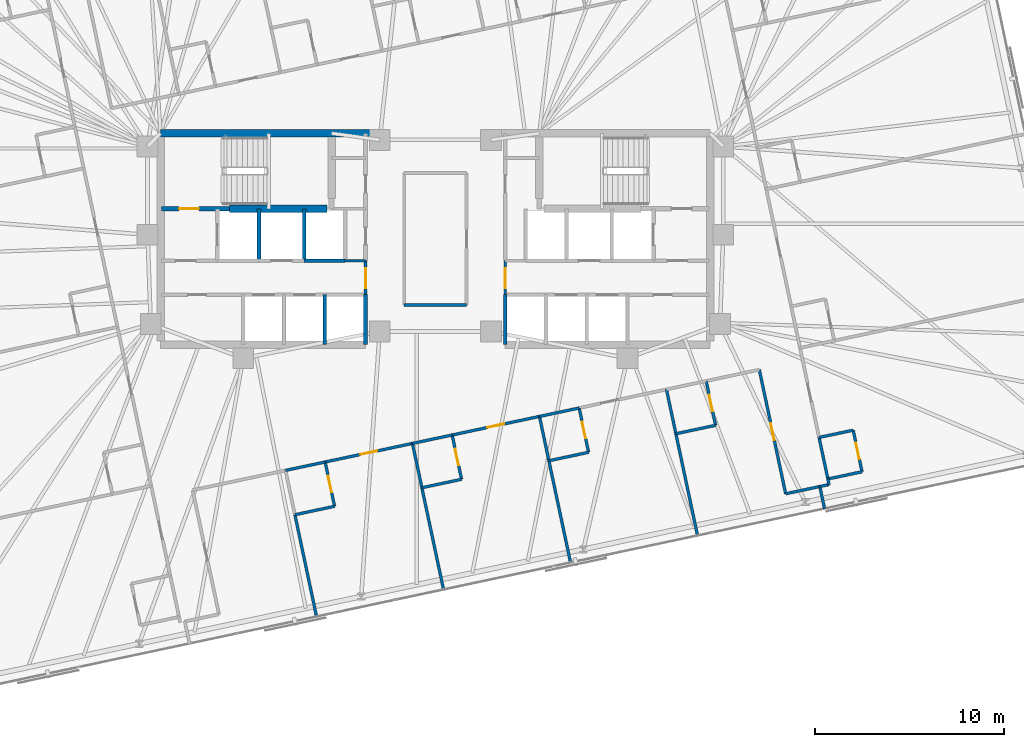
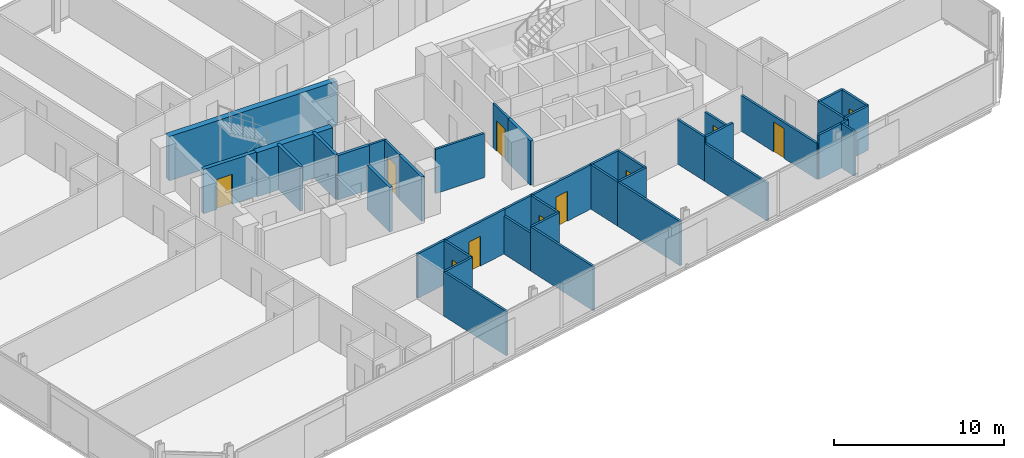
# One storey, part 15 of 20: 42 walls, 11 doors, 11 openings.
"""IFC4 building model written with IfcOpenShell, lengths in metres."""

from ifc_helpers import new_model, si_unit, direction, frame, frame_2d, origin, place, context, subcontext, project, spatial, rectangle, extrude, material, layer, layer_set, type_object, element, fill, save


model = new_model("IFC4")

# Units and contexts
model_context = context("Model", 3, precision=1e-05, world=origin(), true_north=direction((0.0, 1.0)))
body_context = subcontext(model_context, "Body", "Model", "MODEL_VIEW")
ifc_project = project(units=[si_unit("LENGTHUNIT", "METRE"), si_unit("AREAUNIT", "SQUARE_METRE"), si_unit("VOLUMEUNIT", "CUBIC_METRE"), si_unit("PLANEANGLEUNIT", "RADIAN"), si_unit("MASSUNIT", "GRAM", prefix="KILO")], contexts=[model_context])

# Site, building, storey
site_placement = place(None, origin())
site = spatial("IfcSite", under=ifc_project, at=site_placement, CompositionType="ELEMENT")
building_placement = place(site_placement, origin())
building = spatial("IfcBuilding", under=site, at=building_placement, Name="Menara Jurai Vektor", CompositionType="ELEMENT")
storey_placement = place(building_placement, frame((0.0, 0.0, 158.199951171875)))
storey = spatial("IfcBuildingStorey", under=building, at=storey_placement, Name="L40", CompositionType="ELEMENT", Elevation=158.199951171875)

# Wall, opening, door
ifc_material_1 = material(Name="Concrete C40/50", Category="concrete")
ifc_layer_1 = layer(ifc_material_1, 0.25)
ifc_layer_set_1 = layer_set([ifc_layer_1], Name="Concrete C40/50")
wall_type_1 = type_object("IfcWallType", Name="INT-WALL-CORE-250", PredefinedType="STANDARD", material=ifc_layer_set_1)
wall_1_placement = place(storey_placement, frame((-14.5, 1.60009765625, 0.0), z_axis=(0.0, 0.0, 1.0), x_axis=(1.0, 0.0, 0.0)))
wall_1 = element("IfcWall", 1, at=wall_1_placement, inside=storey, type_object=wall_type_1, Name="Interior Wall IW-250 L40", PredefinedType="STANDARD", context=body_context, shape_type="SweptSolid", body=[
    extrude(rectangle(XDim=3.60009765625, YDim=0.25, at=frame_2d((1.800048828125, 0.0))), origin(), (0.0, 0.0, 1.0), 3.175048828125),
])
opening_1_placement = place(wall_1_placement, frame((0.919921875, 0.0, 0.0)))
opening_1 = element("IfcOpeningElement", 2, at=opening_1_placement, cuts=wall_1, Name="Opening D-L40-ST1", PredefinedType="OPENING", context=body_context, shape_type="SweptSolid", body=[
    extrude(rectangle(XDim=1.050048828125, YDim=2.14990234375, at=frame_2d((0.52490234375, 1.074951171875))), frame((0.0, 0.135009765625, 0.0), z_axis=(0.0, -1.0, 0.0), x_axis=(1.0, 0.0, 0.0)), (0.0, 0.0, 1.0), 0.27001953125),
])
ifc_material_2 = material(Name="Fire-Rated Steel Door", Category="steel")
door_type_1 = type_object("IfcDoorType", Name="DR-STAIR-1050", OperationType="NOTDEFINED", PredefinedType="DOOR", material=ifc_material_2)
door_1_placement = place(opening_1_placement, origin())
door_1 = element("IfcDoor", 3, at=door_1_placement, inside=storey, type_object=door_type_1, Name="Exit Stair ST1 Door L40", OperationType="SINGLE_SWING_RIGHT", OverallHeight=2.14990234375, OverallWidth=1.050048828125, PredefinedType="DOOR", context=body_context, shape_type="SweptSolid", body=[
    extrude(rectangle(XDim=1.050048828125, YDim=2.14990234375, at=frame_2d((0.52490234375, 1.074951171875))), frame((0.0, 0.02490234375, 0.0), z_axis=(0.0, -1.0, 0.0), x_axis=(1.0, 0.0, 0.0)), (0.0, 0.0, 1.0), 0.050048828125),
])
fill(opening_1, door_1)

# Wall
wall_2_placement = place(storey_placement, frame((-9.35009765625, -1.14990234375, 0.0), z_axis=(0.0, 0.0, 1.0), x_axis=(0.0, 1.0, 0.0)))
element("IfcWall", 4, at=wall_2_placement, inside=storey, type_object=wall_type_1, Name="Interior Wall IW-250 L40", PredefinedType="STANDARD", context=body_context, shape_type="SweptSolid", body=[
    extrude(rectangle(XDim=2.75, YDim=0.199951171875, at=frame_2d((1.375, 0.0))), origin(), (0.0, 0.0, 1.0), 3.175048828125),
])

# Wall, opening, door
ifc_material_3 = material(Name="Gypsum Fireboard Partition", Category="gypsum")
ifc_layer_2 = layer(ifc_material_3, 0.14990234375)
ifc_layer_set_2 = layer_set([ifc_layer_2], Name="Gypsum Fireboard Partition")
wall_type_2 = type_object("IfcWallType", Name="INT-WALL-CORR-150", PredefinedType="PARTITIONING", material=ifc_layer_set_2)
wall_3_placement = place(storey_placement, frame((-3.699951171875, -2.949951171875, 0.0), z_axis=(0.0, 0.0, 1.0), x_axis=(0.0, 1.0, 0.0)))
wall_3 = element("IfcWall", 5, at=wall_3_placement, inside=storey, type_object=wall_type_2, Name="Interior Wall IW-150 L40", PredefinedType="PARTITIONING", context=body_context, shape_type="SweptSolid", body=[
    extrude(rectangle(XDim=1.800048828125, YDim=0.14990234375, at=frame_2d((0.89990234375, 0.0))), origin(), (0.0, 0.0, 1.0), 3.175048828125),
])
opening_2_placement = place(wall_3_placement, frame((0.35009765625, 0.0, 0.0)))
opening_2 = element("IfcOpeningElement", 6, at=opening_2_placement, cuts=wall_3, Name="Opening D-L40-LLW", PredefinedType="OPENING", context=body_context, shape_type="SweptSolid", body=[
    extrude(rectangle(XDim=1.050048828125, YDim=2.179931640625, at=frame_2d((0.52490234375, 1.08984375))), frame((0.0, 0.0849609375, 0.0), z_axis=(0.0, -1.0, 0.0), x_axis=(1.0, 0.0, 0.0)), (0.0, 0.0, 1.0), 0.169921875),
])
ifc_material_4 = material(Name="Fire-Rated Timber Door", Category="wood")
door_type_2 = type_object("IfcDoorType", Name="DR-LOBBY-1050", OperationType="NOTDEFINED", PredefinedType="DOOR", material=ifc_material_4)
door_2_placement = place(opening_2_placement, origin())
door_2 = element("IfcDoor", 7, at=door_2_placement, inside=storey, type_object=door_type_2, Name="Lift Lobby Corridor Door W L40", OperationType="SINGLE_SWING_LEFT", OverallHeight=2.179931640625, OverallWidth=1.050048828125, PredefinedType="DOOR", context=body_context, shape_type="SweptSolid", body=[
    extrude(rectangle(XDim=1.050048828125, YDim=2.179931640625, at=frame_2d((0.52490234375, 1.08984375))), frame((0.0, 0.02490234375, 0.0), z_axis=(0.0, -1.0, 0.0), x_axis=(1.0, 0.0, 0.0)), (0.0, 0.0, 1.0), 0.050048828125),
])
fill(opening_2, door_2)

# Wall
wall_4_placement = place(storey_placement, frame((-4.7900390625, -1.14990234375, 0.0), z_axis=(0.0, 0.0, 1.0), x_axis=(1.0, 0.0, 0.0)))
element("IfcWall", 8, at=wall_4_placement, inside=storey, type_object=wall_type_2, Name="Interior Wall IW-150 L40", PredefinedType="PARTITIONING", context=body_context, shape_type="SweptSolid", body=[
    extrude(rectangle(XDim=1.090087890625, YDim=0.14990234375, at=frame_2d((0.544921875, 0.0))), origin(), (0.0, 0.0, 1.0), 3.175048828125),
])

# Wall, opening, door
wall_5_placement = place(storey_placement, frame((3.699951171875, -2.949951171875, 0.0), z_axis=(0.0, 0.0, 1.0), x_axis=(0.0, 1.0, 0.0)))
wall_5 = element("IfcWall", 9, at=wall_5_placement, inside=storey, type_object=wall_type_2, Name="Interior Wall IW-150 L40", PredefinedType="PARTITIONING", context=body_context, shape_type="SweptSolid", body=[
    extrude(rectangle(XDim=1.800048828125, YDim=0.14990234375, at=frame_2d((0.89990234375, 0.0))), origin(), (0.0, 0.0, 1.0), 3.175048828125),
])
opening_3_placement = place(wall_5_placement, frame((0.35009765625, 0.0, 0.0)))
opening_3 = element("IfcOpeningElement", 10, at=opening_3_placement, cuts=wall_5, Name="Opening D-L40-LLE", PredefinedType="OPENING", context=body_context, shape_type="SweptSolid", body=[
    extrude(rectangle(XDim=1.050048828125, YDim=2.179931640625, at=frame_2d((0.52490234375, 1.08984375))), frame((0.0, 0.0849609375, 0.0), z_axis=(0.0, -1.0, 0.0), x_axis=(1.0, 0.0, 0.0)), (0.0, 0.0, 1.0), 0.169921875),
])
door_3_placement = place(opening_3_placement, frame((1.050048828125, 0.0, 0.0), z_axis=(0.0, 0.0, 1.0), x_axis=(-1.0, 0.0, 0.0)))
door_3 = element("IfcDoor", 11, at=door_3_placement, inside=storey, type_object=door_type_2, Name="Lift Lobby Corridor Door E L40", OperationType="SINGLE_SWING_RIGHT", OverallHeight=2.179931640625, OverallWidth=1.050048828125, PredefinedType="DOOR", context=body_context, shape_type="SweptSolid", body=[
    extrude(rectangle(XDim=1.050048828125, YDim=2.179931640625, at=frame_2d((0.52490234375, 1.08984375))), frame((0.0, 0.02490234375, 0.0), z_axis=(0.0, -1.0, 0.0), x_axis=(1.0, 0.0, 0.0)), (0.0, 0.0, 1.0), 0.050048828125),
])
fill(opening_3, door_3)

# Wall
wall_6_placement = place(storey_placement, frame((-1.64990234375, -3.489501953125, 0.0), z_axis=(0.0, 0.0, 1.0), x_axis=(0.999999975374, -0.000221926315, 0.0)))
element("IfcWall", 12, at=wall_6_placement, inside=storey, type_object=wall_type_2, Name="Interior Wall IW-150 L40", PredefinedType="PARTITIONING", context=body_context, shape_type="SweptSolid", body=[
    extrude(rectangle(XDim=3.30029296875, YDim=0.14990234375, at=frame_2d((1.650146484375, 0.0))), origin(), (0.0, 0.0, 1.0), 3.175048828125),
])

# Wall, opening, door
wall_7_placement = place(storey_placement, frame((-5.839599609375, -11.814453125, 0.0), z_axis=(0.0, 0.0, 1.0), x_axis=(0.978148615161, 0.207906918255, 0.0)))
wall_7 = element("IfcWall", 13, at=wall_7_placement, inside=storey, type_object=wall_type_2, Name="Interior Wall IW-150 L40", PredefinedType="PARTITIONING", context=body_context, shape_type="SweptSolid", body=[
    extrude(rectangle(XDim=4.728759765625, YDim=0.14990234375, at=frame_2d((2.3642578125, 0.0))), origin(), (0.0, 0.0, 1.0), 3.175048828125),
])
opening_4_placement = place(wall_7_placement, frame((1.904541015625, 0.0, 0.0)))
opening_4 = element("IfcOpeningElement", 14, at=opening_4_placement, cuts=wall_7, Name="Opening D40-19", PredefinedType="OPENING", context=body_context, shape_type="SweptSolid", body=[
    extrude(rectangle(XDim=0.919921875, YDim=2.14990234375, at=frame_2d((0.4599609375, 1.074951171875))), frame((0.0, 0.0849609375, 0.0), z_axis=(0.0, -1.0, 0.0), x_axis=(1.0, 0.0, 0.0)), (0.0, 0.0, 1.0), 0.169921875),
])
ifc_material_5 = material(Name="Solid Core Timber Fire Door", Category="wood")
door_type_3 = type_object("IfcDoorType", Name="DR-ENTRY-950", OperationType="NOTDEFINED", PredefinedType="DOOR", material=ifc_material_5)
door_4_placement = place(opening_4_placement, origin())
door_4 = element("IfcDoor", 15, at=door_4_placement, inside=storey, type_object=door_type_3, Name="Interior Door D40-19", OperationType="SINGLE_SWING_RIGHT", OverallHeight=2.14990234375, OverallWidth=0.919921875, PredefinedType="DOOR", context=body_context, shape_type="SweptSolid", body=[
    extrude(rectangle(XDim=0.919921875, YDim=2.14990234375, at=frame_2d((0.4599609375, 1.074951171875))), frame((0.0, 0.02490234375, 0.0), z_axis=(0.0, -1.0, 0.0), x_axis=(1.0, 0.0, 0.0)), (0.0, 0.0, 1.0), 0.050048828125),
])
fill(opening_4, door_4)

# Wall
wall_8_placement = place(storey_placement, frame((-7.942626953125, -12.261474609375, 0.0), z_axis=(0.0, 0.0, 1.0), x_axis=(0.978146728319, 0.207915795165, 0.0)))
element("IfcWall", 16, at=wall_8_placement, inside=storey, type_object=wall_type_2, Name="Interior Wall IW-150 L40", PredefinedType="PARTITIONING", context=body_context, shape_type="SweptSolid", body=[
    extrude(rectangle(XDim=2.14990234375, YDim=0.14990234375, at=frame_2d((1.074951171875, 0.0))), origin(), (0.0, 0.0, 1.0), 3.175048828125),
])

# Wall, opening, door
wall_9_placement = place(storey_placement, frame((0.888916015625, -10.38427734375, 0.0), z_axis=(0.0, 0.0, 1.0), x_axis=(0.978150846638, 0.207896419455, 0.0)))
wall_9 = element("IfcWall", 17, at=wall_9_placement, inside=storey, type_object=wall_type_2, Name="Interior Wall IW-150 L40", PredefinedType="PARTITIONING", context=body_context, shape_type="SweptSolid", body=[
    extrude(rectangle(XDim=4.72900390625, YDim=0.14990234375, at=frame_2d((2.364501953125, 0.0))), origin(), (0.0, 0.0, 1.0), 3.175048828125),
])
opening_5_placement = place(wall_9_placement, frame((1.904541015625, 0.0, 0.0)))
opening_5 = element("IfcOpeningElement", 18, at=opening_5_placement, cuts=wall_9, Name="Opening D40-21", PredefinedType="OPENING", context=body_context, shape_type="SweptSolid", body=[
    extrude(rectangle(XDim=0.919921875, YDim=2.14990234375, at=frame_2d((0.4599609375, 1.074951171875))), frame((0.0, 0.0849609375, 0.0), z_axis=(0.0, -1.0, 0.0), x_axis=(1.0, 0.0, 0.0)), (0.0, 0.0, 1.0), 0.169921875),
])
door_5_placement = place(opening_5_placement, origin())
door_5 = element("IfcDoor", 19, at=door_5_placement, inside=storey, type_object=door_type_3, Name="Interior Door D40-21", OperationType="SINGLE_SWING_RIGHT", OverallHeight=2.14990234375, OverallWidth=0.919921875, PredefinedType="DOOR", context=body_context, shape_type="SweptSolid", body=[
    extrude(rectangle(XDim=0.919921875, YDim=2.14990234375, at=frame_2d((0.4599609375, 1.074951171875))), frame((0.0, 0.02490234375, 0.0), z_axis=(0.0, -1.0, 0.0), x_axis=(1.0, 0.0, 0.0)), (0.0, 0.0, 1.0), 0.050048828125),
])
fill(opening_5, door_5)

# Walls
for number, where, z_axis, x_axis, name in (
    (20, (-1.214111328125, -10.831298828125, 0.0), (0.0, 0.0, 1.0), (0.978146728319, 0.207915795165, 0.0), "Interior Wall IW-150 L40"),
    (21, (5.5146484375, -9.401123046875, 0.0), (0.0, 0.0, 1.0), (0.978146728319, 0.207915795165, 0.0), "Interior Wall IW-150 L40"),
):
    element("IfcWall", number, at=place(storey_placement, frame(where, z_axis=z_axis, x_axis=x_axis)), inside=storey, type_object=wall_type_2, Name=name, PredefinedType="PARTITIONING", context=body_context, shape_type="SweptSolid", body=[
        extrude(rectangle(XDim=2.14990234375, YDim=0.14990234375, at=frame_2d((1.074951171875, 0.0))), origin(), (0.0, 0.0, 1.0), 3.175048828125),
    ])
wall_10_placement = place(storey_placement, frame((18.5595703125, -13.498291015625, 0.0), z_axis=(0.0, 0.0, 1.0), x_axis=(0.978160192495, 0.207852442415, 0.0)))
element("IfcWall", 22, at=wall_10_placement, inside=storey, type_object=wall_type_2, Name="Interior Wall IW-150 L40", PredefinedType="PARTITIONING", context=body_context, shape_type="SweptSolid", body=[
    extrude(rectangle(XDim=1.849853515625, YDim=0.14990234375, at=frame_2d((0.9248046875, 0.0))), origin(), (0.0, 0.0, 1.0), 3.175048828125),
])
wall_11_placement = place(storey_placement, frame((20.369140625, -13.11376953125, 0.0), z_axis=(0.0, 0.0, 1.0), x_axis=(0.978143962546, 0.207928806409, 0.0)))
element("IfcWall", 23, at=wall_11_placement, inside=storey, type_object=wall_type_2, Name="Interior Wall IW-150 L40", PredefinedType="PARTITIONING", context=body_context, shape_type="SweptSolid", body=[
    extrude(rectangle(XDim=0.500244140625, YDim=0.14990234375, at=frame_2d((0.25, 0.0))), origin(), (0.0, 0.0, 1.0), 3.175048828125),
])
wall_12_placement = place(storey_placement, frame((20.8583984375, -13.009765625, 0.0), z_axis=(0.0, 0.0, 1.0), x_axis=(-0.208306395052, 0.978063620518, 0.0)))
element("IfcWall", 24, at=wall_12_placement, inside=storey, type_object=wall_type_2, Name="Interior Wall IW-150 L40", PredefinedType="PARTITIONING", context=body_context, shape_type="SweptSolid", body=[
    extrude(rectangle(XDim=0.300048828125, YDim=0.14990234375, at=frame_2d((0.14990234375, 0.0))), origin(), (0.0, 0.0, 1.0), 3.175048828125),
])
wall_13_placement = place(storey_placement, frame((20.7958984375, -12.71630859375, 0.0), z_axis=(0.0, 0.0, 1.0), x_axis=(-0.207891197838, 0.978151956427, 0.0)))
element("IfcWall", 25, at=wall_13_placement, inside=storey, type_object=wall_type_2, Name="Interior Wall IW-150 L40", PredefinedType="PARTITIONING", context=body_context, shape_type="SweptSolid", body=[
    extrude(rectangle(XDim=2.25, YDim=0.14990234375, at=frame_2d((1.125, 0.0))), origin(), (0.0, 0.0, 1.0), 3.175048828125),
])
wall_14_placement = place(storey_placement, frame((-6.2958984375, -20.00830078125, 0.0), z_axis=(0.0, 0.0, 1.0), x_axis=(-0.20792487872, 0.978144797466, 0.0)))
element("IfcWall", 26, at=wall_14_placement, inside=storey, type_object=wall_type_2, Name="Interior Wall IW-150 L40", PredefinedType="PARTITIONING", context=body_context, shape_type="SweptSolid", body=[
    extrude(rectangle(XDim=5.519775390625, YDim=0.14990234375, at=frame_2d((2.759765625, 0.0))), origin(), (0.0, 0.0, 1.0), 3.175048828125),
])
wall_15_placement = place(storey_placement, frame((-7.443603515625, -14.609130859375, 0.0), z_axis=(0.0, 0.0, 1.0), x_axis=(0.978141818715, 0.207938891219, 0.0)))
element("IfcWall", 27, at=wall_15_placement, inside=storey, type_object=wall_type_2, Name="Interior Wall IW-150 L40", PredefinedType="PARTITIONING", context=body_context, shape_type="SweptSolid", body=[
    extrude(rectangle(XDim=2.149658203125, YDim=0.14990234375, at=frame_2d((1.07470703125, 0.0))), origin(), (0.0, 0.0, 1.0), 3.175048828125),
])

# Wall, opening, door
wall_16_placement = place(storey_placement, frame((-5.3408203125, -14.162109375, 0.0), z_axis=(0.0, 0.0, 1.0), x_axis=(-0.207819824493, 0.978167123015, 0.0)))
wall_16 = element("IfcWall", 28, at=wall_16_placement, inside=storey, type_object=wall_type_2, Name="Interior Wall IW-150 L40", PredefinedType="PARTITIONING", context=body_context, shape_type="SweptSolid", body=[
    extrude(rectangle(XDim=2.400146484375, YDim=0.14990234375, at=frame_2d((1.2001953125, 0.0))), origin(), (0.0, 0.0, 1.0), 3.175048828125),
])
opening_6_placement = place(wall_16_placement, frame((0.760009765625, 0.0, 0.0)))
opening_6 = element("IfcOpeningElement", 29, at=opening_6_placement, cuts=wall_16, Name="Opening D40-20", PredefinedType="OPENING", context=body_context, shape_type="SweptSolid", body=[
    extrude(rectangle(XDim=0.8798828125, YDim=2.14990234375, at=frame_2d((0.43994140625, 1.074951171875))), frame((0.0, 0.0849609375, 0.0), z_axis=(0.0, -1.0, 0.0), x_axis=(1.0, 0.0, 0.0)), (0.0, 0.0, 1.0), 0.169921875),
])
ifc_material_6 = material(Name="Moisture-Resistant Timber Door", Category="wood")
door_type_4 = type_object("IfcDoorType", Name="DR-BATH-880", OperationType="NOTDEFINED", PredefinedType="DOOR", material=ifc_material_6)
door_6_placement = place(opening_6_placement, origin())
door_6 = element("IfcDoor", 30, at=door_6_placement, inside=storey, type_object=door_type_4, Name="Interior Door D40-20", OperationType="SINGLE_SWING_LEFT", OverallHeight=2.14990234375, OverallWidth=0.8798828125, PredefinedType="DOOR", context=body_context, shape_type="SweptSolid", body=[
    extrude(rectangle(XDim=0.8798828125, YDim=2.14990234375, at=frame_2d((0.43994140625, 1.074951171875))), frame((0.0, 0.02490234375, 0.0), z_axis=(0.0, -1.0, 0.0), x_axis=(1.0, 0.0, 0.0)), (0.0, 0.0, 1.0), 0.050048828125),
])
fill(opening_6, door_6)

# Walls
wall_17_placement = place(storey_placement, frame((0.4326171875, -18.578125, 0.0), z_axis=(0.0, 0.0, 1.0), x_axis=(-0.20791588359, 0.978146709523, 0.0)))
element("IfcWall", 31, at=wall_17_placement, inside=storey, type_object=wall_type_2, Name="Interior Wall IW-150 L40", PredefinedType="PARTITIONING", context=body_context, shape_type="SweptSolid", body=[
    extrude(rectangle(XDim=5.52001953125, YDim=0.14990234375, at=frame_2d((2.760009765625, 0.0))), origin(), (0.0, 0.0, 1.0), 3.175048828125),
])
wall_18_placement = place(storey_placement, frame((-0.715087890625, -13.1787109375, 0.0), z_axis=(0.0, 0.0, 1.0), x_axis=(0.978146728319, 0.207915795165, 0.0)))
element("IfcWall", 32, at=wall_18_placement, inside=storey, type_object=wall_type_2, Name="Interior Wall IW-150 L40", PredefinedType="PARTITIONING", context=body_context, shape_type="SweptSolid", body=[
    extrude(rectangle(XDim=2.14990234375, YDim=0.14990234375, at=frame_2d((1.074951171875, 0.0))), origin(), (0.0, 0.0, 1.0), 3.175048828125),
])

# Wall, opening, door
wall_19_placement = place(storey_placement, frame((1.387939453125, -12.731689453125, 0.0), z_axis=(0.0, 0.0, 1.0), x_axis=(-0.207937840262, 0.978142042133, 0.0)))
wall_19 = element("IfcWall", 33, at=wall_19_placement, inside=storey, type_object=wall_type_2, Name="Interior Wall IW-150 L40", PredefinedType="PARTITIONING", context=body_context, shape_type="SweptSolid", body=[
    extrude(rectangle(XDim=2.39990234375, YDim=0.14990234375, at=frame_2d((1.199951171875, 0.0))), origin(), (0.0, 0.0, 1.0), 3.175048828125),
])
opening_7_placement = place(wall_19_placement, frame((0.760009765625, 0.0, 0.0)))
opening_7 = element("IfcOpeningElement", 34, at=opening_7_placement, cuts=wall_19, Name="Opening D40-22", PredefinedType="OPENING", context=body_context, shape_type="SweptSolid", body=[
    extrude(rectangle(XDim=0.8798828125, YDim=2.14990234375, at=frame_2d((0.43994140625, 1.074951171875))), frame((0.0, 0.0849609375, 0.0), z_axis=(0.0, -1.0, 0.0), x_axis=(1.0, 0.0, 0.0)), (0.0, 0.0, 1.0), 0.169921875),
])
door_7_placement = place(opening_7_placement, origin())
door_7 = element("IfcDoor", 35, at=door_7_placement, inside=storey, type_object=door_type_4, Name="Interior Door D40-22", OperationType="SINGLE_SWING_LEFT", OverallHeight=2.14990234375, OverallWidth=0.8798828125, PredefinedType="DOOR", context=body_context, shape_type="SweptSolid", body=[
    extrude(rectangle(XDim=0.8798828125, YDim=2.14990234375, at=frame_2d((0.43994140625, 1.074951171875))), frame((0.0, 0.02490234375, 0.0), z_axis=(0.0, -1.0, 0.0), x_axis=(1.0, 0.0, 0.0)), (0.0, 0.0, 1.0), 0.050048828125),
])
fill(opening_7, door_7)

# Walls
wall_20_placement = place(storey_placement, frame((7.161376953125, -17.14794921875, 0.0), z_axis=(0.0, 0.0, 1.0), x_axis=(-0.20791588359, 0.978146709523, 0.0)))
element("IfcWall", 36, at=wall_20_placement, inside=storey, type_object=wall_type_2, Name="Interior Wall IW-150 L40", PredefinedType="PARTITIONING", context=body_context, shape_type="SweptSolid", body=[
    extrude(rectangle(XDim=5.52001953125, YDim=0.14990234375, at=frame_2d((2.760009765625, 0.0))), origin(), (0.0, 0.0, 1.0), 3.175048828125),
])
wall_21_placement = place(storey_placement, frame((6.013671875, -11.74853515625, 0.0), z_axis=(0.0, 0.0, 1.0), x_axis=(-0.207937840262, 0.978142042133, 0.0)))
element("IfcWall", 37, at=wall_21_placement, inside=storey, type_object=wall_type_2, Name="Interior Wall IW-150 L40", PredefinedType="PARTITIONING", context=body_context, shape_type="SweptSolid", body=[
    extrude(rectangle(XDim=2.39990234375, YDim=0.14990234375, at=frame_2d((1.199951171875, 0.0))), origin(), (0.0, 0.0, 1.0), 3.175048828125),
])
wall_22_placement = place(storey_placement, frame((6.013671875, -11.74853515625, 0.0), z_axis=(0.0, 0.0, 1.0), x_axis=(0.978146728319, 0.207915795165, 0.0)))
element("IfcWall", 38, at=wall_22_placement, inside=storey, type_object=wall_type_2, Name="Interior Wall IW-150 L40", PredefinedType="PARTITIONING", context=body_context, shape_type="SweptSolid", body=[
    extrude(rectangle(XDim=2.14990234375, YDim=0.14990234375, at=frame_2d((1.074951171875, 0.0))), origin(), (0.0, 0.0, 1.0), 3.175048828125),
])

# Wall, opening, door
wall_23_placement = place(storey_placement, frame((8.11669921875, -11.301513671875, 0.0), z_axis=(0.0, 0.0, 1.0), x_axis=(-0.207937840262, 0.978142042133, 0.0)))
wall_23 = element("IfcWall", 39, at=wall_23_placement, inside=storey, type_object=wall_type_2, Name="Interior Wall IW-150 L40", PredefinedType="PARTITIONING", context=body_context, shape_type="SweptSolid", body=[
    extrude(rectangle(XDim=2.39990234375, YDim=0.14990234375, at=frame_2d((1.199951171875, 0.0))), origin(), (0.0, 0.0, 1.0), 3.175048828125),
])
opening_8_placement = place(wall_23_placement, frame((0.760009765625, 0.0, 0.0)))
opening_8 = element("IfcOpeningElement", 40, at=opening_8_placement, cuts=wall_23, Name="Opening D40-24", PredefinedType="OPENING", context=body_context, shape_type="SweptSolid", body=[
    extrude(rectangle(XDim=0.8798828125, YDim=2.14990234375, at=frame_2d((0.43994140625, 1.074951171875))), frame((0.0, 0.0849609375, 0.0), z_axis=(0.0, -1.0, 0.0), x_axis=(1.0, 0.0, 0.0)), (0.0, 0.0, 1.0), 0.169921875),
])
door_8_placement = place(opening_8_placement, origin())
door_8 = element("IfcDoor", 41, at=door_8_placement, inside=storey, type_object=door_type_4, Name="Interior Door D40-24", OperationType="SINGLE_SWING_LEFT", OverallHeight=2.14990234375, OverallWidth=0.8798828125, PredefinedType="DOOR", context=body_context, shape_type="SweptSolid", body=[
    extrude(rectangle(XDim=0.8798828125, YDim=2.14990234375, at=frame_2d((0.43994140625, 1.074951171875))), frame((0.0, 0.02490234375, 0.0), z_axis=(0.0, -1.0, 0.0), x_axis=(1.0, 0.0, 0.0)), (0.0, 0.0, 1.0), 0.050048828125),
])
fill(opening_8, door_8)

# Walls
wall_24_placement = place(storey_placement, frame((12.742431640625, -10.318359375, 0.0), z_axis=(0.0, 0.0, 1.0), x_axis=(-0.207917150959, 0.978146440129, 0.0)))
element("IfcWall", 42, at=wall_24_placement, inside=storey, type_object=wall_type_2, Name="Interior Wall IW-150 L40", PredefinedType="PARTITIONING", context=body_context, shape_type="SweptSolid", body=[
    extrude(rectangle(XDim=2.400146484375, YDim=0.14990234375, at=frame_2d((1.2001953125, 0.0))), origin(), (0.0, 0.0, 1.0), 3.175048828125),
])
wall_25_placement = place(storey_placement, frame((12.742431640625, -10.318359375, 0.0), z_axis=(0.0, 0.0, 1.0), x_axis=(0.978146728319, 0.207915795165, 0.0)))
element("IfcWall", 43, at=wall_25_placement, inside=storey, type_object=wall_type_2, Name="Interior Wall IW-150 L40", PredefinedType="PARTITIONING", context=body_context, shape_type="SweptSolid", body=[
    extrude(rectangle(XDim=2.14990234375, YDim=0.14990234375, at=frame_2d((1.074951171875, 0.0))), origin(), (0.0, 0.0, 1.0), 3.175048828125),
])
wall_26_placement = place(storey_placement, frame((20.61865234375, -14.28759765625, 0.0), z_axis=(0.0, 0.0, 1.0), x_axis=(-0.207917150959, 0.978146440129, 0.0)))
element("IfcWall", 44, at=wall_26_placement, inside=storey, type_object=wall_type_2, Name="Interior Wall IW-150 L40", PredefinedType="PARTITIONING", context=body_context, shape_type="SweptSolid", body=[
    extrude(rectangle(XDim=1.199951171875, YDim=0.14990234375, at=frame_2d((0.60009765625, 0.0))), origin(), (0.0, 0.0, 1.0), 3.175048828125),
])
for number, where, z_axis, x_axis, name in (
    (45, (20.7958984375, -12.71630859375, 0.0), (0.0, 0.0, 1.0), (0.978160192495, 0.207852442415, 0.0), "Interior Wall IW-150 L40"),
    (46, (20.328125, -10.515380859375, 0.0), (0.0, 0.0, 1.0), (0.978160192495, 0.207852442415, 0.0), "Interior Wall IW-150 L40"),
):
    element("IfcWall", number, at=place(storey_placement, frame(where, z_axis=z_axis, x_axis=x_axis)), inside=storey, type_object=wall_type_2, Name=name, PredefinedType="PARTITIONING", context=body_context, shape_type="SweptSolid", body=[
        extrude(rectangle(XDim=1.849853515625, YDim=0.14990234375, at=frame_2d((0.9248046875, 0.0))), origin(), (0.0, 0.0, 1.0), 3.175048828125),
    ])

# Wall, opening, door
wall_27_placement = place(storey_placement, frame((22.60546875, -12.331787109375, 0.0), z_axis=(0.0, 0.0, 1.0), x_axis=(-0.207891197838, 0.978151956427, 0.0)))
wall_27 = element("IfcWall", 47, at=wall_27_placement, inside=storey, type_object=wall_type_2, Name="Interior Wall IW-150 L40", PredefinedType="PARTITIONING", context=body_context, shape_type="SweptSolid", body=[
    extrude(rectangle(XDim=2.25, YDim=0.14990234375, at=frame_2d((1.125, 0.0))), origin(), (0.0, 0.0, 1.0), 3.175048828125),
])
opening_9_placement = place(wall_27_placement, frame((0.68505859375, 0.0, 0.0)))
opening_9 = element("IfcOpeningElement", 48, at=opening_9_placement, cuts=wall_27, Name="Opening D40-38", PredefinedType="OPENING", context=body_context, shape_type="SweptSolid", body=[
    extrude(rectangle(XDim=0.8798828125, YDim=2.14990234375, at=frame_2d((0.43994140625, 1.074951171875))), frame((0.0, 0.0849609375, 0.0), z_axis=(0.0, -1.0, 0.0), x_axis=(1.0, 0.0, 0.0)), (0.0, 0.0, 1.0), 0.169921875),
])
door_9_placement = place(opening_9_placement, origin())
door_9 = element("IfcDoor", 49, at=door_9_placement, inside=storey, type_object=door_type_4, Name="Interior Door D40-38", OperationType="SINGLE_SWING_LEFT", OverallHeight=2.14990234375, OverallWidth=0.8798828125, PredefinedType="DOOR", context=body_context, shape_type="SweptSolid", body=[
    extrude(rectangle(XDim=0.8798828125, YDim=2.14990234375, at=frame_2d((0.43994140625, 1.074951171875))), frame((0.0, 0.02490234375, 0.0), z_axis=(0.0, -1.0, 0.0), x_axis=(1.0, 0.0, 0.0)), (0.0, 0.0, 1.0), 0.050048828125),
])
fill(opening_9, door_9)

# Walls
ifc_layer_3 = layer(ifc_material_3, 0.14990234375)
ifc_layer_set_3 = layer_set([ifc_layer_3], Name="Gypsum Fireboard Partition")
wall_type_3 = type_object("IfcWallType", Name="INT-WALL-CORR-150-H1", PredefinedType="PARTITIONING", material=ifc_layer_set_3)
wall_28_placement = place(storey_placement, frame((-0.715087890625, -13.1787109375, 0.0), z_axis=(0.0, 0.0, 1.0), x_axis=(-0.207937840262, 0.978142042133, 0.0)))
element("IfcWall", 50, at=wall_28_placement, inside=storey, type_object=wall_type_3, Name="Interior Wall IW-150 L40", PredefinedType="PARTITIONING", context=body_context, shape_type="SweptSolid", body=[
    extrude(rectangle(XDim=2.39990234375, YDim=0.14990234375, at=frame_2d((1.199951171875, 0.0))), origin(), (0.0, 0.0, 1.0), 2.72509765625),
])
wall_29_placement = place(storey_placement, frame((13.889892578125, -15.7177734375, 0.0), z_axis=(0.0, 0.0, 1.0), x_axis=(-0.207873566928, 0.97815570344, 0.0)))
element("IfcWall", 51, at=wall_29_placement, inside=storey, type_object=wall_type_3, Name="Interior Wall IW-150 L40", PredefinedType="PARTITIONING", context=body_context, shape_type="SweptSolid", body=[
    extrude(rectangle(XDim=5.52001953125, YDim=0.14990234375, at=frame_2d((2.760009765625, 0.0))), origin(), (0.0, 0.0, 1.0), 2.72509765625),
])

# Wall, opening, door
wall_30_placement = place(storey_placement, frame((14.845458984375, -9.871337890625, 0.0), z_axis=(0.0, 0.0, 1.0), x_axis=(-0.207917150959, 0.978146440129, 0.0)))
wall_30 = element("IfcWall", 52, at=wall_30_placement, inside=storey, type_object=wall_type_3, Name="Interior Wall IW-150 L40", PredefinedType="PARTITIONING", context=body_context, shape_type="SweptSolid", body=[
    extrude(rectangle(XDim=2.400146484375, YDim=0.14990234375, at=frame_2d((1.2001953125, 0.0))), origin(), (0.0, 0.0, 1.0), 2.72509765625),
])
opening_10_placement = place(wall_30_placement, frame((0.760009765625, 0.0, 0.0)))
opening_10 = element("IfcOpeningElement", 53, at=opening_10_placement, cuts=wall_30, Name="Opening D40-26", PredefinedType="OPENING", context=body_context, shape_type="SweptSolid", body=[
    extrude(rectangle(XDim=0.8798828125, YDim=2.14990234375, at=frame_2d((0.43994140625, 1.074951171875))), frame((0.0, 0.0849609375, 0.0), z_axis=(0.0, -1.0, 0.0), x_axis=(1.0, 0.0, 0.0)), (0.0, 0.0, 1.0), 0.169921875),
])
door_10_placement = place(opening_10_placement, origin())
door_10 = element("IfcDoor", 54, at=door_10_placement, inside=storey, type_object=door_type_4, Name="Interior Door D40-26", OperationType="SINGLE_SWING_LEFT", OverallHeight=2.14990234375, OverallWidth=0.8798828125, PredefinedType="DOOR", context=body_context, shape_type="SweptSolid", body=[
    extrude(rectangle(XDim=0.8798828125, YDim=2.14990234375, at=frame_2d((0.43994140625, 1.074951171875))), frame((0.0, 0.02490234375, 0.0), z_axis=(0.0, -1.0, 0.0), x_axis=(1.0, 0.0, 0.0)), (0.0, 0.0, 1.0), 0.050048828125),
])
fill(opening_10, door_10)

ifc_layer_4 = layer(ifc_material_3, 0.14990234375)
ifc_layer_set_4 = layer_set([ifc_layer_4], Name="Gypsum Fireboard Partition")
wall_type_4 = type_object("IfcWallType", Name="INT-WALL-CORR-150-H2", PredefinedType="PARTITIONING", material=ifc_layer_set_4)
wall_31_placement = place(storey_placement, frame((18.5595703125, -13.498291015625, 0.0), z_axis=(0.0, 0.0, 1.0), x_axis=(-0.207888737749, 0.978152479278, 0.0)))
wall_31 = element("IfcWall", 55, at=wall_31_placement, inside=storey, type_object=wall_type_4, Name="Interior Wall IW-150 L40", PredefinedType="PARTITIONING", context=body_context, shape_type="SweptSolid", body=[
    extrude(rectangle(XDim=6.7197265625, YDim=0.14990234375, at=frame_2d((3.35986328125, 0.0))), origin(), (0.0, 0.0, 1.0), 2.574951171875),
])
opening_11_placement = place(wall_31_placement, frame((2.89990234375, 0.0, 0.0)))
opening_11 = element("IfcOpeningElement", 56, at=opening_11_placement, cuts=wall_31, Name="Opening D40-25", PredefinedType="OPENING", context=body_context, shape_type="SweptSolid", body=[
    extrude(rectangle(XDim=0.919921875, YDim=2.14990234375, at=frame_2d((0.4599609375, 1.074951171875))), frame((0.0, 0.0849609375, 0.0), z_axis=(0.0, -1.0, 0.0), x_axis=(1.0, 0.0, 0.0)), (0.0, 0.0, 1.0), 0.169921875),
])
door_11_placement = place(opening_11_placement, origin())
door_11 = element("IfcDoor", 57, at=door_11_placement, inside=storey, type_object=door_type_3, Name="Interior Door D40-25", OperationType="SINGLE_SWING_RIGHT", OverallHeight=2.14990234375, OverallWidth=0.919921875, PredefinedType="DOOR", context=body_context, shape_type="SweptSolid", body=[
    extrude(rectangle(XDim=0.919921875, YDim=2.14990234375, at=frame_2d((0.4599609375, 1.074951171875))), frame((0.0, 0.02490234375, 0.0), z_axis=(0.0, -1.0, 0.0), x_axis=(1.0, 0.0, 0.0)), (0.0, 0.0, 1.0), 0.050048828125),
])
fill(opening_11, door_11)

# Walls
ifc_layer_5 = layer(ifc_material_1, 0.199951171875)
ifc_layer_set_5 = layer_set([ifc_layer_5], Name="Concrete C40/50")
wall_type_5 = type_object("IfcWallType", Name="INT-WALL-SHAFT-200", PredefinedType="STANDARD", material=ifc_layer_set_5)
wall_32_placement = place(storey_placement, frame((-3.699951171875, -5.60009765625, 0.0), z_axis=(0.0, 0.0, 1.0), x_axis=(0.0, 1.0, 0.0)))
element("IfcWall", 58, at=wall_32_placement, inside=storey, type_object=wall_type_5, Name="Interior Wall IW-200 L40", PredefinedType="STANDARD", context=body_context, shape_type="SweptSolid", body=[
    extrude(rectangle(XDim=2.650146484375, YDim=0.199951171875, at=frame_2d((1.3251953125, 0.0))), origin(), (0.0, 0.0, 1.0), 3.175048828125),
])
wall_33_placement = place(storey_placement, frame((-6.949951171875, -1.14990234375, 0.0), z_axis=(0.0, 0.0, 1.0), x_axis=(0.0, 1.0, 0.0)))
element("IfcWall", 59, at=wall_33_placement, inside=storey, type_object=wall_type_5, Name="Interior Wall IW-200 L40", PredefinedType="STANDARD", context=body_context, shape_type="SweptSolid", body=[
    extrude(rectangle(XDim=2.75, YDim=0.199951171875, at=frame_2d((1.375, 0.0))), origin(), (0.0, 0.0, 1.0), 3.175048828125),
])
wall_34_placement = place(storey_placement, frame((-6.949951171875, -1.14990234375, 0.0), z_axis=(0.0, 0.0, 1.0), x_axis=(1.0, 0.0, 0.0)))
element("IfcWall", 60, at=wall_34_placement, inside=storey, type_object=wall_type_5, Name="Interior Wall IW-200 L40", PredefinedType="STANDARD", context=body_context, shape_type="SweptSolid", body=[
    extrude(rectangle(XDim=2.159912109375, YDim=0.199951171875, at=frame_2d((1.080078125, 0.0))), origin(), (0.0, 0.0, 1.0), 3.175048828125),
])
for number, where, z_axis, x_axis, name in (
    (61, (-5.860107421875, -5.60009765625, 0.0), (0.0, 0.0, 1.0), (0.0, 1.0, 0.0), "Interior Wall IW-200 L40"),
    (62, (3.699951171875, -5.60009765625, 0.0), (0.0, 0.0, 1.0), (0.0, 1.0, 0.0), "Interior Wall IW-200 L40"),
):
    element("IfcWall", number, at=place(storey_placement, frame(where, z_axis=z_axis, x_axis=x_axis)), inside=storey, type_object=wall_type_5, Name=name, PredefinedType="STANDARD", context=body_context, shape_type="SweptSolid", body=[
        extrude(rectangle(XDim=2.650146484375, YDim=0.199951171875, at=frame_2d((1.3251953125, 0.0))), origin(), (0.0, 0.0, 1.0), 3.175048828125),
    ])
ifc_material_7 = material(Name="Concrete C50/60", Category="concrete")
ifc_layer_6 = layer(ifc_material_7, 0.39990234375)
ifc_layer_set_6 = layer_set([ifc_layer_6], Name="Concrete C50/60")
wall_type_6 = type_object("IfcWallType", Name="STR-WALL-CORE400", PredefinedType="SHEAR", material=ifc_layer_set_6)
wall_35_placement = place(storey_placement, frame((-14.56005859375, 5.60009765625, 0.0), z_axis=(0.0, 0.0, 1.0), x_axis=(1.0, 0.0, 0.0)))
element("IfcWall", 63, at=wall_35_placement, inside=storey, type_object=wall_type_6, Name="Core Shear Wall CW-W-N L40", PredefinedType="SHEAR", context=body_context, shape_type="SweptSolid", body=[
    extrude(rectangle(XDim=11.41015625, YDim=0.39990234375, at=frame_2d((5.705078125, 0.0))), origin(), (0.0, 0.0, 1.0), 3.175048828125),
])
wall_36_placement = place(storey_placement, frame((-10.89990234375, 1.60009765625, 0.0), z_axis=(0.0, 0.0, 1.0), x_axis=(1.0, 0.0, 0.0)))
element("IfcWall", 64, at=wall_36_placement, inside=storey, type_object=wall_type_6, Name="Core Shear Wall CW-W-STS L40", PredefinedType="SHEAR", context=body_context, shape_type="SweptSolid", body=[
    extrude(rectangle(XDim=5.14990234375, YDim=0.39990234375, at=frame_2d((2.574951171875, 0.0))), origin(), (0.0, 0.0, 1.0), 3.175048828125),
])

save(model, "model.ifc")
